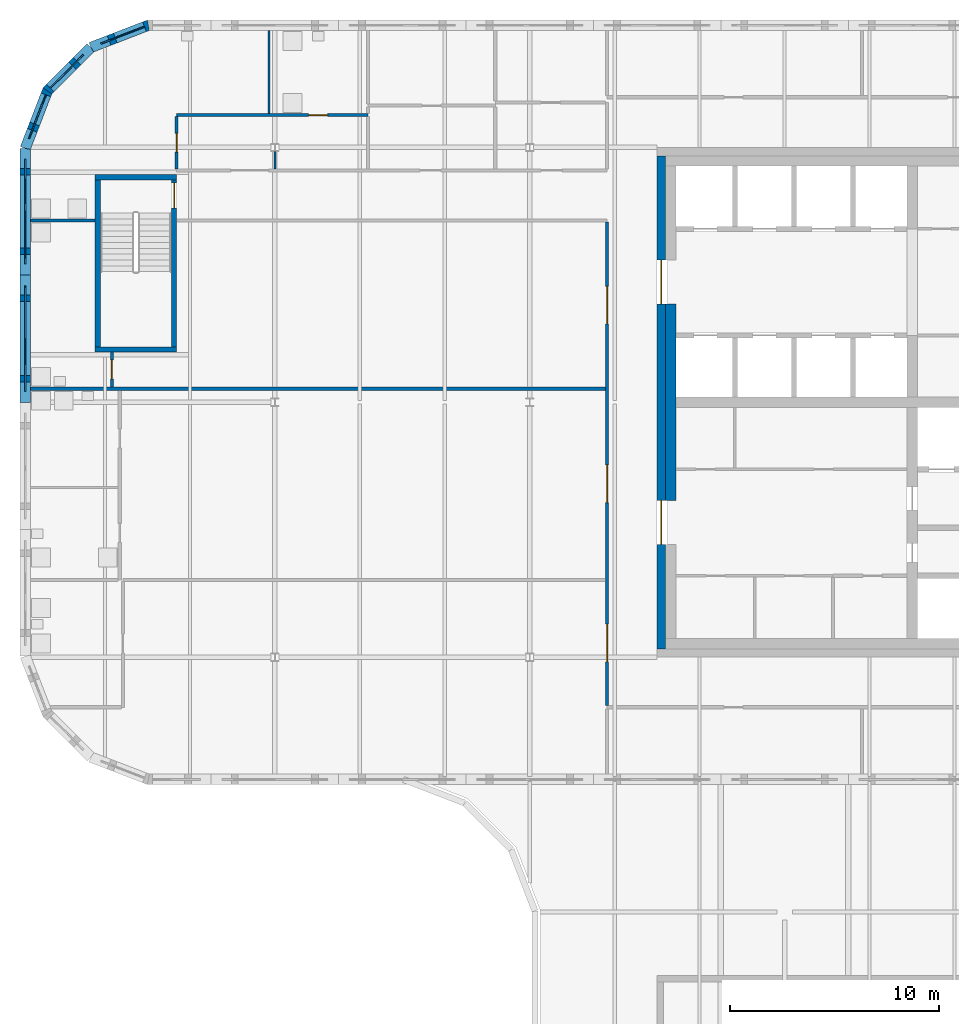
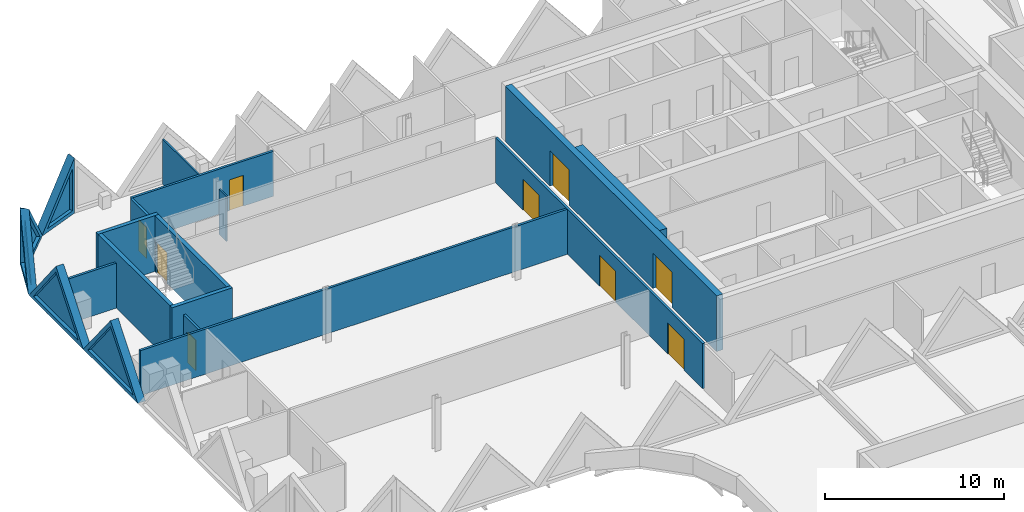
# One storey, part 6 of 12: 19 walls, 9 doors, 5 plates, 14 openings.
"""IFC4 building model written with IfcOpenShell, lengths in metres."""

from ifc_helpers import new_model, si_unit, direction, frame, frame_2d, origin, place, context, subcontext, project, spatial, polyline, rectangle, outline, extrude, faceted_brep, source, transform, mapped, material, layer, layer_set, type_object, element, fill, save


model = new_model("IFC4")

# Units and contexts
model_context = context("Model", 3, precision=1e-05, world=origin(), true_north=direction((0.0, 1.0)))
body_context = subcontext(model_context, "Body", "Model", "MODEL_VIEW")
ifc_project = project(units=[si_unit("LENGTHUNIT", "METRE"), si_unit("AREAUNIT", "SQUARE_METRE"), si_unit("VOLUMEUNIT", "CUBIC_METRE"), si_unit("PLANEANGLEUNIT", "RADIAN"), si_unit("MASSUNIT", "GRAM", prefix="KILO")], contexts=[model_context])

# Site, building, storey
site_placement = place(None, origin())
site = spatial("IfcSite", under=ifc_project, at=site_placement, CompositionType="ELEMENT")
building_placement = place(site_placement, origin())
building = spatial("IfcBuilding", under=site, at=building_placement, Name="Tessera Gate Towers", CompositionType="ELEMENT")
storey_placement = place(building_placement, frame((0.0, 0.0, 236.89990234375)))
storey = spatial("IfcBuildingStorey", under=building, at=storey_placement, Name="L59", CompositionType="ELEMENT", Elevation=236.89990234375)

# Walls
ifc_material_1 = material(Name="Concrete C40/50", Category="concrete")
ifc_layer_1 = layer(ifc_material_1, 0.25)
ifc_layer_set_1 = layer_set([ifc_layer_1], Name="CORE ENCLOSURE WALL 250")
wall_type_1 = type_object("IfcWallType", Name="CORE ENCLOSURE WALL 250", PredefinedType="SOLIDWALL", material=ifc_layer_set_1)
wall_1_placement = place(storey_placement, frame((7.5, 39.125, 0.0), z_axis=(0.0, 0.0, 1.0), x_axis=(-1.0, 0.0, 0.0)))
element("IfcWall", 1, at=wall_1_placement, inside=storey, type_object=wall_type_1, Name="L59 ST3 enclosure wall", PredefinedType="SOLIDWALL", context=body_context, shape_type="SweptSolid", body=[
    extrude(rectangle(XDim=3.89990234375, YDim=0.25, at=frame_2d((1.949951171875, 0.0))), origin(), (0.0, 0.0, 1.0), 3.800048828125),
])
wall_2_placement = place(storey_placement, frame((3.72509765625, 39.25, 0.0), z_axis=(0.0, 0.0, 1.0), x_axis=(0.0, 1.0, 0.0)))
element("IfcWall", 2, at=wall_2_placement, inside=storey, type_object=wall_type_1, Name="L59 ST3 enclosure wall", PredefinedType="SOLIDWALL", context=body_context, shape_type="SweptSolid", body=[
    extrude(rectangle(XDim=8.0, YDim=0.25, at=frame_2d((4.0, 0.0))), origin(), (0.0, 0.0, 1.0), 3.800048828125),
])
wall_3_placement = place(storey_placement, frame((3.60009765625, 47.375, 0.0), z_axis=(0.0, 0.0, 1.0), x_axis=(1.0, 0.0, 0.0)))
element("IfcWall", 3, at=wall_3_placement, inside=storey, type_object=wall_type_1, Name="L59 ST3 enclosure wall", PredefinedType="SOLIDWALL", context=body_context, shape_type="SweptSolid", body=[
    extrude(rectangle(XDim=3.89990234375, YDim=0.25, at=frame_2d((1.949951171875, 0.0))), origin(), (0.0, 0.0, 1.0), 3.800048828125),
])

# Wall, opening, door
wall_4_placement = place(storey_placement, frame((7.375, 47.25, 0.0), z_axis=(0.0, 0.0, 1.0), x_axis=(0.0, -1.0, 0.0)))
wall_4 = element("IfcWall", 4, at=wall_4_placement, inside=storey, type_object=wall_type_1, Name="L59 ST3 enclosure wall", PredefinedType="SOLIDWALL", context=body_context, shape_type="SweptSolid", body=[
    extrude(rectangle(XDim=8.0, YDim=0.25, at=frame_2d((4.0, 0.0))), origin(), (0.0, 0.0, 1.0), 3.800048828125),
])
shared_shape_1 = source(origin(), body_context, "Body", "SweptSolid", [
    extrude(rectangle(XDim=1.199951171875, YDim=2.10009765625, at=frame_2d((0.60009765625, 1.050048828125))), frame((0.0, 0.135009765625, 0.0), z_axis=(0.0, -1.0, 0.0), x_axis=(1.0, 0.0, 0.0)), (0.0, 0.0, 1.0), 0.27001953125),
])
opening_1_placement = place(wall_4_placement, frame((0.14990234375, 0.0, 0.0)))
opening_1 = element("IfcOpeningElement", 5, at=opening_1_placement, cuts=wall_4, Name="Opening SD-ST3-1", PredefinedType="OPENING", context=body_context, shape_type="MappedRepresentation", body=[
    mapped(shared_shape_1, transform((0.0, 0.0, 0.0), scale=1.0)),
])
ifc_material_2 = material(Name="Hollow steel fire door", Category="steel")
door_type_1 = type_object("IfcDoorType", Name="CORE DOOR SD 1200x2100", OperationType="NOTDEFINED", PredefinedType="DOOR", material=ifc_material_2)
shared_shape_2 = source(origin(), body_context, "Body", "SweptSolid", [
    extrude(rectangle(XDim=1.199951171875, YDim=2.10009765625, at=frame_2d((0.60009765625, 1.050048828125))), frame((0.0, 0.02490234375, 0.0), z_axis=(0.0, -1.0, 0.0), x_axis=(1.0, 0.0, 0.0)), (0.0, 0.0, 1.0), 0.050048828125),
])
door_1_placement = place(opening_1_placement, origin())
door_1 = element("IfcDoor", 6, at=door_1_placement, inside=storey, type_object=door_type_1, Name="Stair door", OperationType="SINGLE_SWING_LEFT", OverallHeight=2.10009765625, OverallWidth=1.199951171875, PredefinedType="DOOR", context=body_context, shape_type="MappedRepresentation", body=[
    mapped(shared_shape_2, transform((0.0, 0.0, 0.0), scale=1.0)),
])
fill(opening_1, door_1)

# Wall, openings, doors
ifc_material_3 = material(Name="Concrete C40/50", Category="concrete")
ifc_layer_2 = layer(ifc_material_3, 0.39990234375)
ifc_layer_set_2 = layer_set([ifc_layer_2], Name="CORE SHEAR WALL 400 C40/50")
wall_type_2 = type_object("IfcWallType", Name="CORE SHEAR WALL 400 C40/50", PredefinedType="SHEAR", material=ifc_layer_set_2)
wall_5_placement = place(storey_placement, frame((30.699951171875, 24.800048828125, 0.0), z_axis=(0.0, 0.0, 1.0), x_axis=(0.0, 1.0, 0.0)))
wall_5 = element("IfcWall", 7, at=wall_5_placement, inside=storey, type_object=wall_type_2, Name="Core wall W L59", PredefinedType="SHEAR", context=body_context, shape_type="SweptSolid", body=[
    extrude(rectangle(XDim=23.599853515625, YDim=0.39990234375, at=frame_2d((11.7998046875, 0.0))), origin(), (0.0, 0.0, 1.0), 3.800048828125),
])
shared_shape_3 = source(origin(), body_context, "Body", "SweptSolid", [
    extrude(rectangle(XDim=2.10009765625, YDim=2.39990234375, at=frame_2d((1.050048828125, 1.199951171875))), frame((0.0, 0.2099609375, 0.0), z_axis=(0.0, -1.0, 0.0), x_axis=(1.0, 0.0, 0.0)), (0.0, 0.0, 1.0), 0.419921875),
])
opening_2_placement = place(wall_5_placement, frame((5.0, 0.0, 0.0)))
opening_2 = element("IfcOpeningElement", 8, at=opening_2_placement, cuts=wall_5, Name="Opening DD-T1-36-02", PredefinedType="OPENING", context=body_context, shape_type="MappedRepresentation", body=[
    mapped(shared_shape_3, transform((0.0, 0.0, 0.0), scale=1.0)),
])
opening_3_placement = place(wall_5_placement, frame((16.5, 0.0, 0.0)))
opening_3 = element("IfcOpeningElement", 9, at=opening_3_placement, cuts=wall_5, Name="Opening DD-T1-36-03", PredefinedType="OPENING", context=body_context, shape_type="MappedRepresentation", body=[
    mapped(shared_shape_3, transform((0.0, 0.0, 0.0), scale=1.0)),
])
ifc_material_4 = material(Name="Hollow steel fire door", Category="steel")
door_type_2 = type_object("IfcDoorType", Name="CORE DOOR DD 2100x2400", OperationType="NOTDEFINED", PredefinedType="DOOR", material=ifc_material_4)
shared_shape_4 = source(origin(), body_context, "Body", "SweptSolid", [
    extrude(rectangle(XDim=2.10009765625, YDim=2.39990234375, at=frame_2d((1.050048828125, 1.199951171875))), frame((0.0, 0.02490234375, 0.0), z_axis=(0.0, -1.0, 0.0), x_axis=(1.0, 0.0, 0.0)), (0.0, 0.0, 1.0), 0.050048828125),
])
door_2_placement = place(opening_2_placement, origin())
door_2 = element("IfcDoor", 10, at=door_2_placement, inside=storey, type_object=door_type_2, Name="Core entrance door", OperationType="DOUBLE_DOOR_SINGLE_SWING", OverallHeight=2.39990234375, OverallWidth=2.10009765625, PredefinedType="DOOR", context=body_context, shape_type="MappedRepresentation", body=[
    mapped(shared_shape_4, transform((0.0, 0.0, 0.0), scale=1.0)),
])
fill(opening_2, door_2)
door_3_placement = place(opening_3_placement, origin())
door_3 = element("IfcDoor", 11, at=door_3_placement, inside=storey, type_object=door_type_2, Name="Core entrance door", OperationType="DOUBLE_DOOR_SINGLE_SWING", OverallHeight=2.39990234375, OverallWidth=2.10009765625, PredefinedType="DOOR", context=body_context, shape_type="MappedRepresentation", body=[
    mapped(shared_shape_4, transform((0.0, 0.0, 0.0), scale=1.0)),
])
fill(opening_3, door_3)

# Wall
ifc_material_5 = material(Name="Concrete C40/50", Category="concrete")
ifc_layer_3 = layer(ifc_material_5, 0.5)
ifc_layer_set_3 = layer_set([ifc_layer_3], Name="CORE WALL THICKENING 500")
wall_type_3 = type_object("IfcWallType", Name="CORE WALL THICKENING 500", PredefinedType="SOLIDWALL", material=ifc_layer_set_3)
wall_6_placement = place(storey_placement, frame((31.14990234375, 31.89990234375, 0.0), z_axis=(0.0, 0.0, 1.0), x_axis=(0.0, 1.0, 0.0)))
element("IfcWall", 12, at=wall_6_placement, inside=storey, type_object=wall_type_3, Name="Core wall thickening W L59", PredefinedType="SOLIDWALL", context=body_context, shape_type="SweptSolid", body=[
    extrude(rectangle(XDim=9.400146484375, YDim=0.5, at=frame_2d((4.7001953125, 0.0))), origin(), (0.0, 0.0, 1.0), 3.800048828125),
])

# Wall, openings, doors
ifc_material_6 = material(Name="Gypsum board on steel studs, mineral wool", Category="steel")
ifc_layer_4 = layer(ifc_material_6, 0.14990234375)
ifc_layer_set_4 = layer_set([ifc_layer_4], Name="CORRIDOR WALL 150")
wall_type_4 = type_object("IfcWallType", Name="CORRIDOR WALL 150", PredefinedType="PARTITIONING", material=ifc_layer_set_4)
wall_7_placement = place(storey_placement, frame((28.10009765625, 22.075927734375, 0.0), z_axis=(0.0, 0.0, 1.0), x_axis=(0.0, 1.0, 0.0)))
wall_7 = element("IfcWall", 13, at=wall_7_placement, inside=storey, type_object=wall_type_4, Name="T1-L59-PW-009", PredefinedType="PARTITIONING", context=body_context, shape_type="SweptSolid", body=[
    extrude(rectangle(XDim=23.148193359375, YDim=0.14990234375, at=frame_2d((11.57421875, 0.0))), origin(), (0.0, 0.0, 1.0), 3.067138671875),
])
shared_shape_5 = source(origin(), body_context, "Body", "SweptSolid", [
    extrude(rectangle(XDim=1.800048828125, YDim=2.10009765625, at=frame_2d((0.89990234375, 1.050048828125))), frame((0.0, 0.0849609375, 0.0), z_axis=(0.0, -1.0, 0.0), x_axis=(1.0, 0.0, 0.0)), (0.0, 0.0, 1.0), 0.169921875),
])
opening_4_placement = place(wall_7_placement, frame((2.10009765625, 0.0, 0.0)))
opening_4 = element("IfcOpeningElement", 14, at=opening_4_placement, cuts=wall_7, Name="Opening D2180FD60-A36-01", PredefinedType="OPENING", context=body_context, shape_type="MappedRepresentation", body=[
    mapped(shared_shape_5, transform((0.0, 0.0, 0.0), scale=1.0)),
])
opening_5_placement = place(wall_7_placement, frame((18.27490234375, 0.0, 0.0)))
opening_5 = element("IfcOpeningElement", 15, at=opening_5_placement, cuts=wall_7, Name="Opening D2180FD60-A36-02", PredefinedType="OPENING", context=body_context, shape_type="MappedRepresentation", body=[
    mapped(shared_shape_5, transform((0.0, 0.0, 0.0), scale=1.0)),
])
opening_6_placement = place(wall_7_placement, frame((9.72412109375, 0.0, 0.0)))
opening_6 = element("IfcOpeningElement", 16, at=opening_6_placement, cuts=wall_7, Name="Opening D2180FD60-A36-04", PredefinedType="OPENING", context=body_context, shape_type="MappedRepresentation", body=[
    mapped(shared_shape_5, transform((0.0, 0.0, 0.0), scale=1.0)),
])
ifc_material_7 = material(Name="Timber door leaf in steel frame", Category="steel")
door_type_3 = type_object("IfcDoorType", Name="TENANCY ENTRANCE DOUBLE DOOR 1800 FD60", OperationType="NOTDEFINED", PredefinedType="DOOR", material=ifc_material_7)
shared_shape_6 = source(origin(), body_context, "Body", "SweptSolid", [
    extrude(rectangle(XDim=1.800048828125, YDim=2.10009765625, at=frame_2d((0.89990234375, 1.050048828125))), frame((0.0, 0.02490234375, 0.0), z_axis=(0.0, -1.0, 0.0), x_axis=(1.0, 0.0, 0.0)), (0.0, 0.0, 1.0), 0.050048828125),
])
door_4_placement = place(opening_4_placement, origin())
door_4 = element("IfcDoor", 17, at=door_4_placement, inside=storey, type_object=door_type_3, Name="T1-L59-PD-008", OperationType="DOUBLE_DOOR_SINGLE_SWING", OverallHeight=2.10009765625, OverallWidth=1.800048828125, PredefinedType="DOOR", context=body_context, shape_type="MappedRepresentation", body=[
    mapped(shared_shape_6, transform((0.0, 0.0, 0.0), scale=1.0)),
])
fill(opening_4, door_4)
door_5_placement = place(opening_5_placement, origin())
door_5 = element("IfcDoor", 18, at=door_5_placement, inside=storey, type_object=door_type_3, Name="T1-L59-PD-012", OperationType="DOUBLE_DOOR_SINGLE_SWING", OverallHeight=2.10009765625, OverallWidth=1.800048828125, PredefinedType="DOOR", context=body_context, shape_type="MappedRepresentation", body=[
    mapped(shared_shape_6, transform((0.0, 0.0, 0.0), scale=1.0)),
])
fill(opening_5, door_5)
door_6_placement = place(opening_6_placement, origin())
door_6 = element("IfcDoor", 19, at=door_6_placement, inside=storey, type_object=door_type_3, Name="T1-L59-PD-016", OperationType="DOUBLE_DOOR_SINGLE_SWING", OverallHeight=2.10009765625, OverallWidth=1.800048828125, PredefinedType="DOOR", context=body_context, shape_type="MappedRepresentation", body=[
    mapped(shared_shape_6, transform((0.0, 0.0, 0.0), scale=1.0)),
])
fill(opening_6, door_6)

# Walls
ifc_material_8 = material(Name="Gypsum board on steel studs", Category="steel")
ifc_layer_5 = layer(ifc_material_8, 0.10009765625)
ifc_layer_set_5 = layer_set([ifc_layer_5], Name="PARTITION 100")
wall_type_5 = type_object("IfcWallType", Name="PARTITION 100", PredefinedType="PARTITIONING", material=ifc_layer_set_5)
wall_8_placement = place(storey_placement, frame((12.199951171875, 48.60009765625, 0.0), z_axis=(0.0, 0.0, 1.0), x_axis=(0.0, -1.0, 0.0)))
element("IfcWall", 20, at=wall_8_placement, inside=storey, type_object=wall_type_5, Name="T1-L59-PW-023", PredefinedType="PARTITIONING", context=body_context, shape_type="SweptSolid", body=[
    extrude(rectangle(XDim=0.8251953125, YDim=0.10009765625, at=frame_2d((0.41259765625, 0.0))), origin(), (0.0, 0.0, 1.0), 3.067138671875),
])
wall_9_placement = place(storey_placement, frame((11.919921875, 50.426025390625, 0.0), z_axis=(0.0, 0.0, 1.0), x_axis=(0.0, 1.0, 0.0)))
element("IfcWall", 21, at=wall_9_placement, inside=storey, type_object=wall_type_5, Name="T1-L59-PW-025", PredefinedType="PARTITIONING", context=body_context, shape_type="SweptSolid", body=[
    extrude(rectangle(XDim=3.973876953125, YDim=0.10009765625, at=frame_2d((1.98681640625, 0.0))), origin(), (0.0, 0.0, 1.0), 3.067138671875),
])
ifc_material_9 = material(Name="Gypsum board on steel studs, mineral wool", Category="steel")
ifc_layer_6 = layer(ifc_material_9, 0.14990234375)
ifc_layer_set_6 = layer_set([ifc_layer_6], Name="TENANCY WALL 150")
wall_type_6 = type_object("IfcWallType", Name="TENANCY WALL 150", PredefinedType="PARTITIONING", material=ifc_layer_set_6)
wall_10_placement = place(storey_placement, frame((0.5, 37.25, 0.0), z_axis=(0.0, 0.0, 1.0), x_axis=(1.0, 0.0, 0.0)))
element("IfcWall", 22, at=wall_10_placement, inside=storey, type_object=wall_type_6, Name="T1-L59-PW-014", PredefinedType="PARTITIONING", context=body_context, shape_type="SweptSolid", body=[
    extrude(rectangle(XDim=27.52392578125, YDim=0.14990234375, at=frame_2d((13.761962890625, 0.0))), origin(), (0.0, 0.0, 1.0), 3.067138671875),
])

# Wall, opening, door
wall_11_placement = place(storey_placement, frame((4.39990234375, 37.325927734375, 0.0), z_axis=(0.0, 0.0, 1.0), x_axis=(0.0, 1.0, 0.0)))
wall_11 = element("IfcWall", 23, at=wall_11_placement, inside=storey, type_object=wall_type_6, Name="T1-L59-PW-015", PredefinedType="PARTITIONING", context=body_context, shape_type="SweptSolid", body=[
    extrude(rectangle(XDim=1.674072265625, YDim=0.14990234375, at=frame_2d((0.8369140625, 0.0))), origin(), (0.0, 0.0, 1.0), 3.067138671875),
])
shared_shape_7 = source(origin(), body_context, "Body", "SweptSolid", [
    extrude(rectangle(XDim=0.89990234375, YDim=2.10009765625, at=frame_2d((0.449951171875, 1.050048828125))), frame((0.0, 0.0849609375, 0.0), z_axis=(0.0, -1.0, 0.0), x_axis=(1.0, 0.0, 0.0)), (0.0, 0.0, 1.0), 0.169921875),
])
opening_7_placement = place(wall_11_placement, frame((0.39990234375, 0.0, 0.0)))
opening_7 = element("IfcOpeningElement", 24, at=opening_7_placement, cuts=wall_11, Name="Opening D190-A36-01", PredefinedType="OPENING", context=body_context, shape_type="MappedRepresentation", body=[
    mapped(shared_shape_7, transform((0.0, 0.0, 0.0), scale=1.0)),
])
ifc_material_10 = material(Name="Timber door leaf in steel frame", Category="steel")
door_type_4 = type_object("IfcDoorType", Name="INTERNAL DOOR 900 NOT RATED", OperationType="NOTDEFINED", PredefinedType="DOOR", material=ifc_material_10)
shared_shape_8 = source(origin(), body_context, "Body", "SweptSolid", [
    extrude(rectangle(XDim=0.89990234375, YDim=2.10009765625, at=frame_2d((0.449951171875, 1.050048828125))), frame((0.0, 0.02490234375, 0.0), z_axis=(0.0, -1.0, 0.0), x_axis=(1.0, 0.0, 0.0)), (0.0, 0.0, 1.0), 0.050048828125),
])
door_7_placement = place(opening_7_placement, origin())
door_7 = element("IfcDoor", 25, at=door_7_placement, inside=storey, type_object=door_type_4, Name="T1-L59-PD-001", OperationType="SINGLE_SWING_LEFT", OverallHeight=2.10009765625, OverallWidth=0.89990234375, PredefinedType="DOOR", context=body_context, shape_type="MappedRepresentation", body=[
    mapped(shared_shape_8, transform((0.0, 0.0, 0.0), scale=1.0)),
])
fill(opening_7, door_7)

# Wall
wall_12_placement = place(storey_placement, frame((0.5, 45.300048828125, 0.0), z_axis=(0.0, 0.0, 1.0), x_axis=(1.0, 0.0, 0.0)))
element("IfcWall", 26, at=wall_12_placement, inside=storey, type_object=wall_type_6, Name="T1-L59-PW-016", PredefinedType="PARTITIONING", context=body_context, shape_type="SweptSolid", body=[
    extrude(rectangle(XDim=3.10009765625, YDim=0.14990234375, at=frame_2d((1.550048828125, 0.0))), origin(), (0.0, 0.0, 1.0), 3.067138671875),
])

# Wall, opening, door
wall_13_placement = place(storey_placement, frame((7.5, 47.77587890625, 0.0), z_axis=(0.0, 0.0, 1.0), x_axis=(0.0, 1.0, 0.0)))
wall_13 = element("IfcWall", 27, at=wall_13_placement, inside=storey, type_object=wall_type_6, Name="T1-L59-PW-019", PredefinedType="PARTITIONING", context=body_context, shape_type="SweptSolid", body=[
    extrude(rectangle(XDim=2.498046875, YDim=0.14990234375, at=frame_2d((1.2490234375, 0.0))), origin(), (0.0, 0.0, 1.0), 3.067138671875),
])
opening_8_placement = place(wall_13_placement, frame((0.800048828125, 0.0, 0.0)))
opening_8 = element("IfcOpeningElement", 28, at=opening_8_placement, cuts=wall_13, Name="Opening D190-A36-07", PredefinedType="OPENING", context=body_context, shape_type="MappedRepresentation", body=[
    mapped(shared_shape_7, transform((0.0, 0.0, 0.0), scale=1.0)),
])
door_8_placement = place(opening_8_placement, origin())
door_8 = element("IfcDoor", 29, at=door_8_placement, inside=storey, type_object=door_type_4, Name="T1-L59-PD-011", OperationType="SINGLE_SWING_LEFT", OverallHeight=2.10009765625, OverallWidth=0.89990234375, PredefinedType="DOOR", context=body_context, shape_type="MappedRepresentation", body=[
    mapped(shared_shape_8, transform((0.0, 0.0, 0.0), scale=1.0)),
])
fill(opening_8, door_8)

wall_14_placement = place(storey_placement, frame((7.5, 50.35009765625, 0.0), z_axis=(0.0, 0.0, 1.0), x_axis=(1.0, 0.0, 0.0)))
wall_14 = element("IfcWall", 30, at=wall_14_placement, inside=storey, type_object=wall_type_6, Name="T1-L59-PW-024", PredefinedType="PARTITIONING", context=body_context, shape_type="SweptSolid", body=[
    extrude(rectangle(XDim=9.14990234375, YDim=0.14990234375, at=frame_2d((4.574951171875, 0.0))), origin(), (0.0, 0.0, 1.0), 3.067138671875),
])
opening_9_placement = place(wall_14_placement, frame((6.3203125, 0.0, 0.0)))
opening_9 = element("IfcOpeningElement", 31, at=opening_9_placement, cuts=wall_14, Name="Opening D190-A36-04", PredefinedType="OPENING", context=body_context, shape_type="MappedRepresentation", body=[
    mapped(shared_shape_7, transform((0.0, 0.0, 0.0), scale=1.0)),
])
door_9_placement = place(opening_9_placement, origin())
door_9 = element("IfcDoor", 32, at=door_9_placement, inside=storey, type_object=door_type_4, Name="T1-L59-PD-005", OperationType="SINGLE_SWING_LEFT", OverallHeight=2.10009765625, OverallWidth=0.89990234375, PredefinedType="DOOR", context=body_context, shape_type="MappedRepresentation", body=[
    mapped(shared_shape_8, transform((0.0, 0.0, 0.0), scale=1.0)),
])
fill(opening_9, door_9)

# Wall, opening, plate
ifc_material_11 = material(Name="Precast concrete C60/75 white", Category="concrete")
ifc_layer_7 = layer(ifc_material_11, 0.5)
ifc_layer_set_7 = layer_set([ifc_layer_7], Name="TS2 half tessera")
wall_type_7 = type_object("IfcWallType", Name="TS2 half tessera", PredefinedType="SOLIDWALL", material=ifc_layer_set_7)
shared_shape_9 = source(origin(), body_context, "Body", "Brep", [
    faceted_brep([(6.099853515625, -0.25, 0.000244140625), (3.050048828125, -0.25, 3.800048828125), (0.0, -0.25, 0.0), (6.099853515625, -0.25, 0.0), (0.0, 0.25, 0.0), (3.050048828125, 0.25, 3.800048828125), (6.099853515625, 0.25, 0.000244140625), (6.099853515625, 0.25, 0.0)], [[[0, 1, 2, 3]], [[4, 5, 6, 7]], [[6, 5, 1, 0]], [[5, 4, 2, 1]], [[4, 7, 3, 2]], [[3, 7, 6, 0]]]),
])
wall_15_placement = place(storey_placement, frame((0.25, 42.699951171875, 0.0), z_axis=(0.0, 0.0, 1.0), x_axis=(0.0, -1.0, 0.0)))
wall_15 = element("IfcWall", 33, at=wall_15_placement, inside=storey, type_object=wall_type_7, Name="Precast half tessera T1 TS2-0295", PredefinedType="SOLIDWALL", context=body_context, shape_type="MappedRepresentation", body=[
    mapped(shared_shape_9, transform((0.0, 0.0, 0.0), scale=1.0)),
])
shared_shape_10 = source(origin(), body_context, "Body", "SweptSolid", [
    extrude(outline(polyline([(5.578857421875, 0.25), (3.050048828125, 3.400634765625), (0.521240234375, 0.25), (5.578857421875, 0.25)])), frame((0.0, 0.260009765625, 0.0), z_axis=(0.0, -1.0, 0.0), x_axis=(1.0, 0.0, 0.0)), (0.0, 0.0, 1.0), 0.52001953125),
])
opening_10_placement = place(wall_15_placement, origin())
opening_10 = element("IfcOpeningElement", 34, at=opening_10_placement, cuts=wall_15, Name="Opening T1-PL1-0603", PredefinedType="OPENING", context=body_context, shape_type="MappedRepresentation", body=[
    mapped(shared_shape_10, transform((0.0, 0.0, 0.0), scale=1.0)),
])
ifc_material_12 = material(Name="Low-e laminated glass", Category="glass")
ifc_layer_8 = layer(ifc_material_12, 0.06005859375)
ifc_layer_set_8 = layer_set([ifc_layer_8], Name="PL1 triangular pane")
plate_type = type_object("IfcPlateType", Name="PL1 triangular pane", PredefinedType="SHEET", material=ifc_layer_set_8)
shared_shape_11 = source(origin(), body_context, "Body", "SweptSolid", [
    extrude(outline(polyline([(5.578857421875, 0.25), (3.050048828125, 3.400634765625), (0.521240234375, 0.25), (5.578857421875, 0.25)])), frame((0.0, 0.030029296875, 0.0), z_axis=(0.0, -1.0, 0.0), x_axis=(1.0, 0.0, 0.0)), (0.0, 0.0, 1.0), 0.06005859375),
])
plate_1_placement = place(opening_10_placement, origin())
plate_1 = element("IfcPlate", 35, at=plate_1_placement, inside=storey, type_object=plate_type, Name="Glass pane T1 PL1-0603", PredefinedType="SHEET", context=body_context, shape_type="MappedRepresentation", body=[
    mapped(shared_shape_11, transform((0.0, 0.0, 0.0), scale=1.0)),
])
fill(opening_10, plate_1)

ifc_material_13 = material(Name="Precast concrete C60/75 white", Category="concrete")
ifc_layer_9 = layer(ifc_material_13, 0.5)
ifc_layer_set_9 = layer_set([ifc_layer_9], Name="TS3 corner tessera")
wall_type_8 = type_object("IfcWallType", Name="TS3 corner tessera", PredefinedType="SOLIDWALL", material=ifc_layer_set_9)
shared_shape_12 = source(origin(), body_context, "Body", "Brep", [
    faceted_brep([(2.9970703125, -0.25, 0.0), (0.046630859375, -0.25, 3.800048828125), (0.0, -0.25, 3.7412109375), (0.0, -0.25, 0.0), (0.09326171875, 0.25, 3.739990234375), (2.9443359375, 0.25, 0.068115234375), (2.9443359375, 0.25, 0.0), (0.09326171875, 0.25, 0.0), (0.046630859375, 0.0, 3.800048828125), (2.9970703125, 0.00048828125, 0.0)], [[[0, 1, 2, 3]], [[4, 5, 6, 7]], [[5, 4, 8, 1, 0, 9]], [[2, 1, 8]], [[7, 6, 9, 0, 3]], [[7, 3, 2, 8, 4]], [[9, 6, 5]]]),
])
wall_16_placement = place(storey_placement, frame((6.18994140625, 54.666748046875, 0.0), z_axis=(0.0, 0.0, 1.0), x_axis=(-0.932990326376, -0.359901446078, 0.0)))
wall_16 = element("IfcWall", 36, at=wall_16_placement, inside=storey, type_object=wall_type_8, Name="Precast corner tessera T1 TS3-1380", PredefinedType="SOLIDWALL", context=body_context, shape_type="MappedRepresentation", body=[
    mapped(shared_shape_12, transform((0.0, 0.0, 0.0), scale=1.0)),
])
shared_shape_13 = source(origin(), body_context, "Body", "SweptSolid", [
    extrude(outline(polyline([(2.486572265625, 0.25), (0.24658203125, 3.134765625), (0.24658203125, 0.25), (2.486572265625, 0.25)])), frame((0.0, 0.260009765625, 0.0), z_axis=(0.0, -1.0, 0.0), x_axis=(1.0, 0.0, 0.0)), (0.0, 0.0, 1.0), 0.52001953125),
])
opening_11_placement = place(wall_16_placement, origin())
opening_11 = element("IfcOpeningElement", 37, at=opening_11_placement, cuts=wall_16, Name="Opening T1-PL1-0599", PredefinedType="OPENING", context=body_context, shape_type="MappedRepresentation", body=[
    mapped(shared_shape_13, transform((0.0, 0.0, 0.0), scale=1.0)),
])
shared_shape_14 = source(origin(), body_context, "Body", "SweptSolid", [
    extrude(outline(polyline([(2.486572265625, 0.25), (0.24658203125, 3.134765625), (0.24658203125, 0.25), (2.486572265625, 0.25)])), frame((0.0, 0.030029296875, 0.0), z_axis=(0.0, -1.0, 0.0), x_axis=(1.0, 0.0, 0.0)), (0.0, 0.0, 1.0), 0.06005859375),
])
plate_2_placement = place(opening_11_placement, origin())
plate_2 = element("IfcPlate", 38, at=plate_2_placement, inside=storey, type_object=plate_type, Name="Glass pane T1 PL1-0599", PredefinedType="SHEET", context=body_context, shape_type="MappedRepresentation", body=[
    mapped(shared_shape_14, transform((0.0, 0.0, 0.0), scale=1.0)),
])
fill(opening_11, plate_2)

shared_shape_15 = source(origin(), body_context, "Body", "Brep", [
    faceted_brep([(3.00341796875, -0.25, 0.0), (0.052978515625, -0.25, 3.800048828125), (0.0, -0.25, 3.731689453125), (0.0, -0.25, 0.0), (0.10595703125, 0.25, 3.73193359375), (2.95703125, 0.25, 0.059814453125), (2.95703125, 0.25, 0.0), (0.10595703125, 0.25, 0.0), (0.052978515625, 0.0, 3.800048828125), (3.00341796875, 0.00048828125, 0.0)], [[[0, 1, 2, 3]], [[4, 5, 6, 7]], [[5, 4, 8, 1, 0, 9]], [[2, 1, 8]], [[7, 6, 9, 0, 3]], [[7, 3, 2, 8, 4]], [[9, 6, 5]]]),
])
wall_17_placement = place(storey_placement, frame((1.3310546875, 51.5556640625, 0.0), z_axis=(0.0, 0.0, 1.0), x_axis=(-0.35992665181, -0.932980602862, 0.0)))
wall_17 = element("IfcWall", 39, at=wall_17_placement, inside=storey, type_object=wall_type_8, Name="Precast corner tessera T1 TS3-1382", PredefinedType="SOLIDWALL", context=body_context, shape_type="MappedRepresentation", body=[
    mapped(shared_shape_15, transform((0.0, 0.0, 0.0), scale=1.0)),
])
shared_shape_16 = source(origin(), body_context, "Body", "SweptSolid", [
    extrude(outline(polyline([(2.492919921875, 0.25), (0.2529296875, 3.134765625), (0.2529296875, 0.25), (2.492919921875, 0.25)])), frame((0.0, 0.260009765625, 0.0), z_axis=(0.0, -1.0, 0.0), x_axis=(1.0, 0.0, 0.0)), (0.0, 0.0, 1.0), 0.52001953125),
])
opening_12_placement = place(wall_17_placement, origin())
opening_12 = element("IfcOpeningElement", 40, at=opening_12_placement, cuts=wall_17, Name="Opening T1-PL1-0601", PredefinedType="OPENING", context=body_context, shape_type="MappedRepresentation", body=[
    mapped(shared_shape_16, transform((0.0, 0.0, 0.0), scale=1.0)),
])
shared_shape_17 = source(origin(), body_context, "Body", "SweptSolid", [
    extrude(outline(polyline([(2.492919921875, 0.25), (0.2529296875, 3.134765625), (0.2529296875, 0.25), (2.492919921875, 0.25)])), frame((0.0, 0.030029296875, 0.0), z_axis=(0.0, -1.0, 0.0), x_axis=(1.0, 0.0, 0.0)), (0.0, 0.0, 1.0), 0.06005859375),
])
plate_3_placement = place(opening_12_placement, origin())
plate_3 = element("IfcPlate", 41, at=plate_3_placement, inside=storey, type_object=plate_type, Name="Glass pane T1 PL1-0601", PredefinedType="SHEET", context=body_context, shape_type="MappedRepresentation", body=[
    mapped(shared_shape_17, transform((0.0, 0.0, 0.0), scale=1.0)),
])
fill(opening_12, plate_3)

shared_shape_18 = source(origin(), body_context, "Body", "Brep", [
    faceted_brep([(6.053466796875, -0.25, 0.0), (3.00341796875, -0.25, 3.800048828125), (0.0, -0.25, 0.0), (0.046630859375, 0.25, 0.058837890625), (3.00341796875, 0.25, 3.800048828125), (6.053466796875, 0.25, 0.0), (0.046630859375, 0.25, 0.0), (0.0, 0.0, 0.0)], [[[0, 1, 2]], [[3, 4, 5, 6]], [[5, 4, 1, 0]], [[4, 3, 7, 2, 1]], [[6, 5, 0, 2, 7]], [[6, 7, 3]]]),
])
wall_18_placement = place(storey_placement, frame((0.25, 48.75341796875, 0.0), z_axis=(0.0, 0.0, 1.0), x_axis=(0.0, -1.0, 0.0)))
wall_18 = element("IfcWall", 42, at=wall_18_placement, inside=storey, type_object=wall_type_7, Name="Precast half tessera T1 TS2-0294", PredefinedType="SOLIDWALL", context=body_context, shape_type="MappedRepresentation", body=[
    mapped(shared_shape_18, transform((0.0, 0.0, 0.0), scale=1.0)),
])
shared_shape_19 = source(origin(), body_context, "Body", "SweptSolid", [
    extrude(outline(polyline([(5.5322265625, 0.25), (3.0048828125, 3.39892578125), (0.516357421875, 0.25), (5.5322265625, 0.25)])), frame((0.0, 0.260009765625, 0.0), z_axis=(0.0, -1.0, 0.0), x_axis=(1.0, 0.0, 0.0)), (0.0, 0.0, 1.0), 0.52001953125),
])
opening_13_placement = place(wall_18_placement, origin())
opening_13 = element("IfcOpeningElement", 43, at=opening_13_placement, cuts=wall_18, Name="Opening T1-PL1-0602", PredefinedType="OPENING", context=body_context, shape_type="MappedRepresentation", body=[
    mapped(shared_shape_19, transform((0.0, 0.0, 0.0), scale=1.0)),
])
shared_shape_20 = source(origin(), body_context, "Body", "SweptSolid", [
    extrude(outline(polyline([(5.5322265625, 0.25), (3.0048828125, 3.39892578125), (0.516357421875, 0.25), (5.5322265625, 0.25)])), frame((0.0, 0.030029296875, 0.0), z_axis=(0.0, -1.0, 0.0), x_axis=(1.0, 0.0, 0.0)), (0.0, 0.0, 1.0), 0.06005859375),
])
plate_4_placement = place(opening_13_placement, origin())
plate_4 = element("IfcPlate", 44, at=plate_4_placement, inside=storey, type_object=plate_type, Name="Glass pane T1 PL1-0602", PredefinedType="SHEET", context=body_context, shape_type="MappedRepresentation", body=[
    mapped(shared_shape_20, transform((0.0, 0.0, 0.0), scale=1.0)),
])
fill(opening_13, plate_4)

shared_shape_21 = source(origin(), body_context, "Body", "Brep", [
    faceted_brep([(2.9970703125, -0.25, 3.73193359375), (2.944091796875, -0.25, 3.800048828125), (0.0, -0.25, 0.0), (2.9970703125, -0.25, 0.0), (0.052978515625, 0.25, 0.068359375), (2.89111328125, 0.25, 3.73193359375), (2.89111328125, 0.25, 0.0), (0.052978515625, 0.25, 0.0), (2.944091796875, 0.000244140625, 3.800048828125), (0.0, 0.0, 0.0)], [[[0, 1, 2, 3]], [[4, 5, 6, 7]], [[8, 1, 0]], [[5, 4, 9, 2, 1, 8]], [[7, 6, 3, 2, 9]], [[7, 9, 4]], [[3, 6, 5, 8, 0]]]),
])
wall_19_placement = place(storey_placement, frame((3.393798828125, 53.588134765625, 0.0), z_axis=(0.0, 0.0, 1.0), x_axis=(-0.707106781187, -0.707106781187, 0.0)))
wall_19 = element("IfcWall", 45, at=wall_19_placement, inside=storey, type_object=wall_type_8, Name="Precast corner tessera T1 TS3-1381", PredefinedType="SOLIDWALL", context=body_context, shape_type="MappedRepresentation", body=[
    mapped(shared_shape_21, transform((0.0, 0.0, 0.0), scale=1.0)),
])
shared_shape_22 = source(origin(), body_context, "Body", "SweptSolid", [
    extrude(outline(polyline([(2.744140625, 3.1337890625), (0.510009765625, 0.25), (2.744140625, 0.25), (2.744140625, 3.1337890625)])), frame((0.0, 0.260009765625, 0.0), z_axis=(0.0, -1.0, 0.0), x_axis=(1.0, 0.0, 0.0)), (0.0, 0.0, 1.0), 0.52001953125),
])
opening_14_placement = place(wall_19_placement, origin())
opening_14 = element("IfcOpeningElement", 46, at=opening_14_placement, cuts=wall_19, Name="Opening T1-PL1-0600", PredefinedType="OPENING", context=body_context, shape_type="MappedRepresentation", body=[
    mapped(shared_shape_22, transform((0.0, 0.0, 0.0), scale=1.0)),
])
shared_shape_23 = source(origin(), body_context, "Body", "SweptSolid", [
    extrude(outline(polyline([(2.744140625, 3.1337890625), (0.510009765625, 0.25), (2.744140625, 0.25), (2.744140625, 3.1337890625)])), frame((0.0, 0.030029296875, 0.0), z_axis=(0.0, -1.0, 0.0), x_axis=(1.0, 0.0, 0.0)), (0.0, 0.0, 1.0), 0.06005859375),
])
plate_5_placement = place(opening_14_placement, origin())
plate_5 = element("IfcPlate", 47, at=plate_5_placement, inside=storey, type_object=plate_type, Name="Glass pane T1 PL1-0600", PredefinedType="SHEET", context=body_context, shape_type="MappedRepresentation", body=[
    mapped(shared_shape_23, transform((0.0, 0.0, 0.0), scale=1.0)),
])
fill(opening_14, plate_5)

save(model, "model.ifc")
